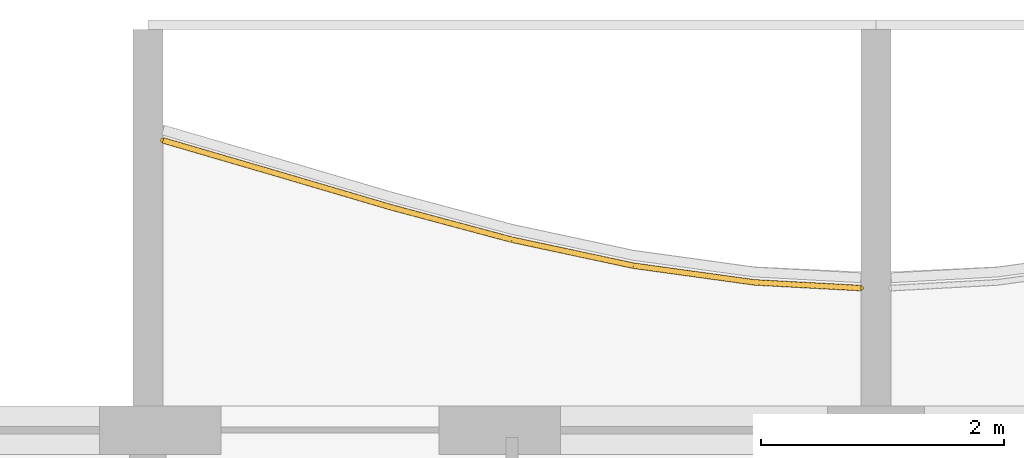
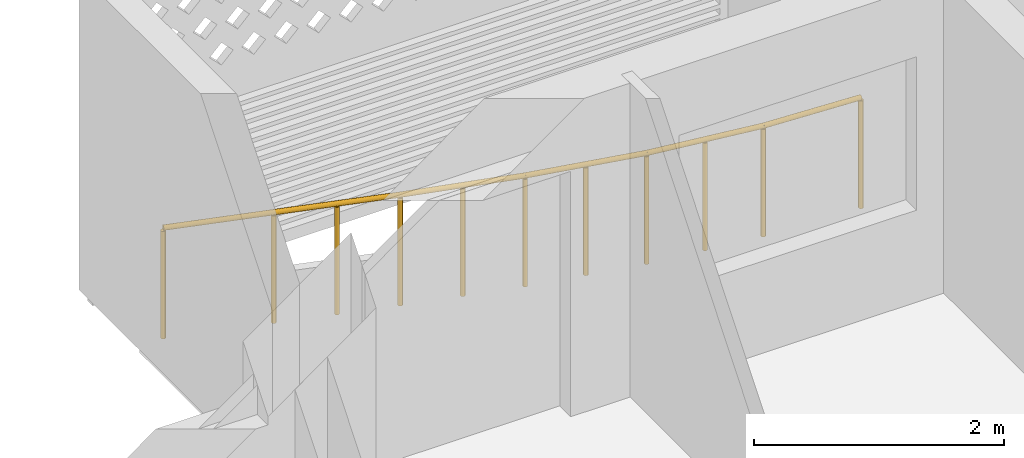
# One storey, part 29 of 32: 1 railing.
"""IFC4 building model written with IfcOpenShell, lengths in metres."""

from ifc_helpers import new_model, si_unit, direction, frame, origin, origin_2d, place, context, subcontext, project, spatial, circle, extrude, material, type_object, element, save


model = new_model("IFC4")

# Units and contexts
model_context = context("Model", 3, precision=1e-05, world=origin(), true_north=direction((0.0, 1.0)))
body_context = subcontext(model_context, "Body", "Model", "MODEL_VIEW")
ifc_project = project(units=[si_unit("LENGTHUNIT", "METRE"), si_unit("AREAUNIT", "SQUARE_METRE"), si_unit("VOLUMEUNIT", "CUBIC_METRE"), si_unit("PLANEANGLEUNIT", "RADIAN"), si_unit("MASSUNIT", "GRAM", prefix="KILO")], contexts=[model_context])

# Site, building, storey
site_placement = place(None, origin())
site = spatial("IfcSite", under=ifc_project, at=site_placement, CompositionType="ELEMENT")
building_placement = place(site_placement, origin())
building = spatial("IfcBuilding", under=site, at=building_placement, Name="Poui Terraces", CompositionType="ELEMENT")
storey_placement = place(building_placement, frame((0.0, 0.0, 152.10009765625)))
storey = spatial("IfcBuildingStorey", under=building, at=storey_placement, Name="L42", CompositionType="ELEMENT", Elevation=152.10009765625)

# Railing
ifc_material = material(Name="Painted steel fretwork", Category="steel")
railing_type = type_object("IfcRailingType", Name="BALCONY GUARD 1100", PredefinedType="GUARDRAIL", material=ifc_material)
railing_placement = place(storey_placement, frame((72.125, 44.787841796875, 0.0)))
element("IfcRailing", 1, at=railing_placement, inside=storey, type_object=railing_type, Name="BALCONY GUARD", PredefinedType="GUARDRAIL", context=body_context, shape_type="SweptSolid", body=[
    extrude(circle(Radius=0.02392578125, at=origin_2d()), frame((0.0, 0.0, 1.076171875), z_axis=(0.959879926868, -0.280411351404, 0.0), x_axis=(0.280411351404, 0.959879926868, 0.0)), (0.0, 0.0, 1.0), 0.91162109375),
    extrude(circle(Radius=0.02392578125, at=origin_2d()), frame((0.875, -0.255615234375, 1.076171875), z_axis=(0.959219941058, -0.282660758998, 0.0), x_axis=(0.282660758998, 0.959219941058, 0.0)), (0.0, 0.0, 1.0), 1.04248046875),
    extrude(circle(Radius=0.02392578125, at=origin_2d()), frame((1.875, -0.55029296875, 1.076171875), z_axis=(0.965897516379, -0.258924676022, 0.0), x_axis=(0.258924676022, 0.965897516379, 0.0)), (0.0, 0.0, 1.0), 1.035400390625),
    extrude(circle(Radius=0.02392578125, at=origin_2d()), frame((2.875, -0.818359375, 1.076171875), z_axis=(0.977886186539, -0.20913776841, 0.0), x_axis=(0.20913776841, 0.977886186539, 0.0)), (0.0, 0.0, 1.0), 1.022705078125),
    extrude(circle(Radius=0.02392578125, at=origin_2d()), frame((3.875, -1.0322265625, 1.076171875), z_axis=(0.990620000385, -0.136645581108, 0.0), x_axis=(0.136645581108, 0.990620000385, 0.0)), (0.0, 0.0, 1.0), 1.009521484375),
    extrude(circle(Radius=0.02392578125, at=origin_2d()), frame((4.875, -1.170166015625, 1.076171875), z_axis=(0.99856813227, -0.053494721372, 0.0), x_axis=(0.053494721372, 0.99856813227, 0.0)), (0.0, 0.0, 1.0), 0.876220703125),
    extrude(circle(Radius=0.02099609375, at=origin_2d()), origin(), (0.0, 0.0, 1.0), 1.052001953125),
    extrude(circle(Radius=0.02099609375, at=origin_2d()), frame((0.875, -0.255615234375, 0.0)), (0.0, 0.0, 1.0), 1.052001953125),
    extrude(circle(Radius=0.02099609375, at=origin_2d()), frame((1.375, -0.40283203125, 0.0)), (0.0, 0.0, 1.0), 1.052001953125),
    extrude(circle(Radius=0.02099609375, at=origin_2d()), frame((1.875, -0.55029296875, 0.0)), (0.0, 0.0, 1.0), 1.052001953125),
    extrude(circle(Radius=0.02099609375, at=origin_2d()), frame((2.375, -0.684326171875, 0.0)), (0.0, 0.0, 1.0), 1.052001953125),
    extrude(circle(Radius=0.02099609375, at=origin_2d()), frame((2.875, -0.818359375, 0.0)), (0.0, 0.0, 1.0), 1.052001953125),
    extrude(circle(Radius=0.02099609375, at=origin_2d()), frame((3.375, -0.92529296875, 0.0)), (0.0, 0.0, 1.0), 1.052001953125),
    extrude(circle(Radius=0.02099609375, at=origin_2d()), frame((3.875, -1.0322265625, 0.0)), (0.0, 0.0, 1.0), 1.052001953125),
    extrude(circle(Radius=0.02099609375, at=origin_2d()), frame((4.375, -1.10107421875, 0.0)), (0.0, 0.0, 1.0), 1.052001953125),
    extrude(circle(Radius=0.02099609375, at=origin_2d()), frame((4.875, -1.170166015625, 0.0)), (0.0, 0.0, 1.0), 1.052001953125),
    extrude(circle(Radius=0.02099609375, at=origin_2d()), frame((5.75, -1.217041015625, 0.0)), (0.0, 0.0, 1.0), 1.052001953125),
])

save(model, "model.ifc")
